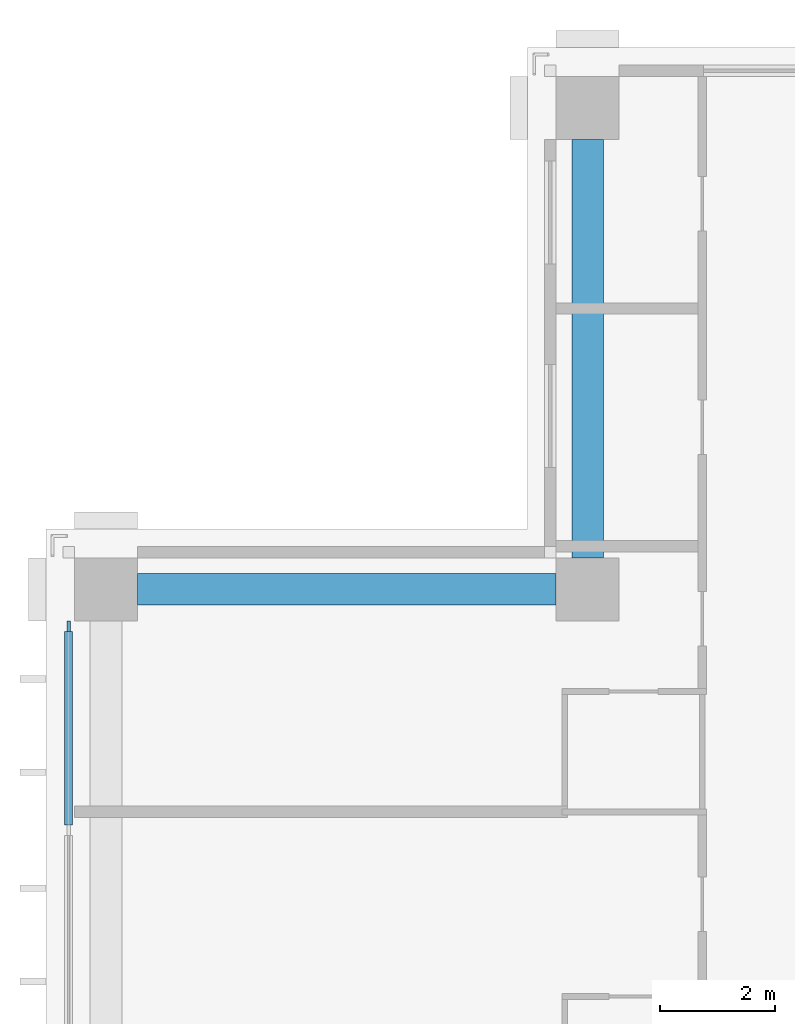
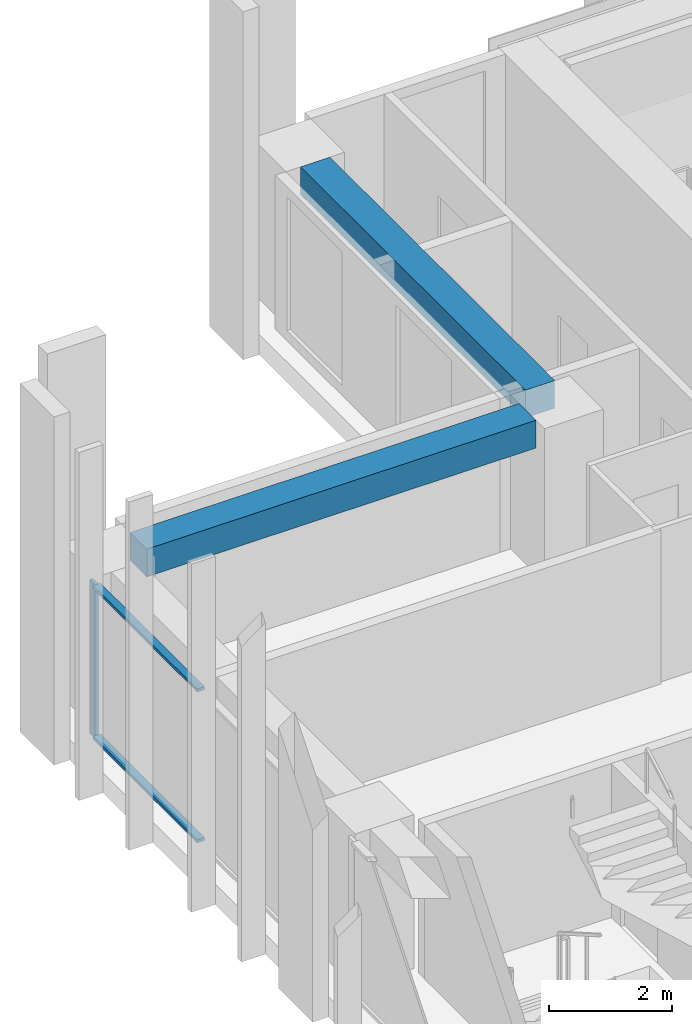
# One storey, part 6 of 17: 3 members, 2 beams, 1 element without a shape of its own.
"""IFC4 building model written with IfcOpenShell, lengths in metres."""

from ifc_helpers import new_model, si_unit, direction, frame, origin, origin_2d, place, context, subcontext, project, spatial, rectangle, extrude, material, material_profile, profile_set, type_object, element, aggregate, save


model = new_model("IFC4")

# Units and contexts
model_context = context("Model", 3, precision=1e-05, world=origin(), true_north=direction((0.0, 1.0)))
body_context = subcontext(model_context, "Body", "Model", "MODEL_VIEW")
ifc_project = project(units=[si_unit("LENGTHUNIT", "METRE"), si_unit("AREAUNIT", "SQUARE_METRE"), si_unit("VOLUMEUNIT", "CUBIC_METRE"), si_unit("PLANEANGLEUNIT", "RADIAN"), si_unit("MASSUNIT", "GRAM", prefix="KILO")], contexts=[model_context])

# Site, building, storey
site_placement = place(None, origin())
site = spatial("IfcSite", under=ifc_project, at=site_placement, CompositionType="ELEMENT")
building_placement = place(site_placement, origin())
building = spatial("IfcBuilding", under=site, at=building_placement, Name="Vermilion Ogive Tower", CompositionType="ELEMENT")
storey_placement = place(building_placement, frame((0.0, 0.0, 157.25)))
storey = spatial("IfcBuildingStorey", under=building, at=storey_placement, Name="L40", CompositionType="ELEMENT", Elevation=157.25)

# Curtain wall, members
ifc_material_1 = material(Name="Low-iron laminated glazing in aluminium frame", Category="aluminium")
curtain_wall_type = type_object("IfcCurtainWallType", Name="Curtain wall CW7", PredefinedType="NOTDEFINED", material=ifc_material_1)
curtain_wall_placement = place(storey_placement, origin())
curtain_wall = element("IfcCurtainWall", 1, at=curtain_wall_placement, inside=storey, type_object=curtain_wall_type, Name="Glazed skin W1", PredefinedType="NOTDEFINED")
ifc_material_2 = material(Name="Aluminium mullion", Category="aluminium")
ifc_material_profile_1 = material_profile(ifc_material_2, rectangle(XDim=0.06005859375, YDim=0.179931640625, at=origin_2d()), Name="AL 60x180")
ifc_profile_set_1 = profile_set([ifc_material_profile_1], Name="Aluminium mullion")
member_type_1 = type_object("IfcMemberType", Name="CW7 mullion 60x180", PredefinedType="MULLION", material=ifc_profile_set_1)
member_1_placement = place(storey_placement, frame((-21.64990234375, 11.9599609375, 0.0), z_axis=(0.0, 0.0, 1.0), x_axis=(1.0, 0.0, 0.0)))
member_1 = element("IfcMember", 2, at=member_1_placement, type_object=member_type_1, Name="CW7-W1 mullion 1", PredefinedType="MULLION", context=body_context, shape_type="SweptSolid", body=[
    extrude(rectangle(XDim=0.06005859375, YDim=0.179931640625, at=origin_2d()), origin(), (0.0, 0.0, 1.0), 3.050048828125),
])
ifc_material_3 = material(Name="Aluminium transom", Category="aluminium")
ifc_material_profile_2 = material_profile(ifc_material_3, rectangle(XDim=0.139892578125, YDim=0.06005859375, at=origin_2d()), Name="AL 60x140")
ifc_profile_set_2 = profile_set([ifc_material_profile_2], Name="Aluminium transom")
member_type_2 = type_object("IfcMemberType", Name="CW7 transom 60x140", PredefinedType="USERDEFINED", material=ifc_profile_set_2)
member_2_placement = place(storey_placement, frame((-21.64990234375, 11.8701171875, 0.030029296875), z_axis=(0.0, -1.0, 0.0), x_axis=(1.0, 0.0, 0.0)))
member_2 = element("IfcMember", 3, at=member_2_placement, type_object=member_type_2, Name="CW7-W1 transom 1.1", ObjectType="TRANSOM", PredefinedType="USERDEFINED", context=body_context, shape_type="SweptSolid", body=[
    extrude(rectangle(XDim=0.139892578125, YDim=0.06005859375, at=origin_2d()), origin(), (0.0, 0.0, 1.0), 3.380126953125),
])
member_3_placement = place(storey_placement, frame((-21.64990234375, 11.8701171875, 3.02001953125), z_axis=(0.0, -1.0, 0.0), x_axis=(1.0, 0.0, 0.0)))
member_3 = element("IfcMember", 4, at=member_3_placement, type_object=member_type_2, Name="CW7-W1 transom 1.2", ObjectType="TRANSOM", PredefinedType="USERDEFINED", context=body_context, shape_type="SweptSolid", body=[
    extrude(rectangle(XDim=0.139892578125, YDim=0.06005859375, at=origin_2d()), origin(), (0.0, 0.0, 1.0), 3.380126953125),
])
aggregate(curtain_wall, [member_1, member_2, member_3])

# Beams
ifc_material_4 = material(Name="Concrete B45", Category="concrete")
ifc_material_profile_3 = material_profile(ifc_material_4, rectangle(XDim=0.550048828125, YDim=0.550048828125, at=origin_2d()), Name="550 x 550")
ifc_profile_set_3 = profile_set([ifc_material_profile_3], Name="Concrete B45")
beam_type = type_object("IfcBeamType", Name="Edge beam 550 x 550 B45", PredefinedType="BEAM", material=ifc_profile_set_3)
for number, where, z_axis, x_axis, name in (
    (5, (-12.60009765625, 20.449951171875, 2.77490234375), (0.0, -1.0, 0.0), (1.0, 0.0, 0.0), "L40-EB-11"),
    (6, (-13.14990234375, 12.60009765625, 2.77490234375), (-1.0, 0.0, 0.0), (0.0, -1.0, 0.0), "L40-EB-12"),
):
    element("IfcBeam", number, at=place(storey_placement, frame(where, z_axis=z_axis, x_axis=x_axis)), inside=storey, type_object=beam_type, Name=name, PredefinedType="BEAM", context=body_context, shape_type="SweptSolid", body=[
        extrude(rectangle(XDim=0.550048828125, YDim=0.550048828125, at=origin_2d()), origin(), (0.0, 0.0, 1.0), 7.300048828125),
    ])

save(model, "model.ifc")
